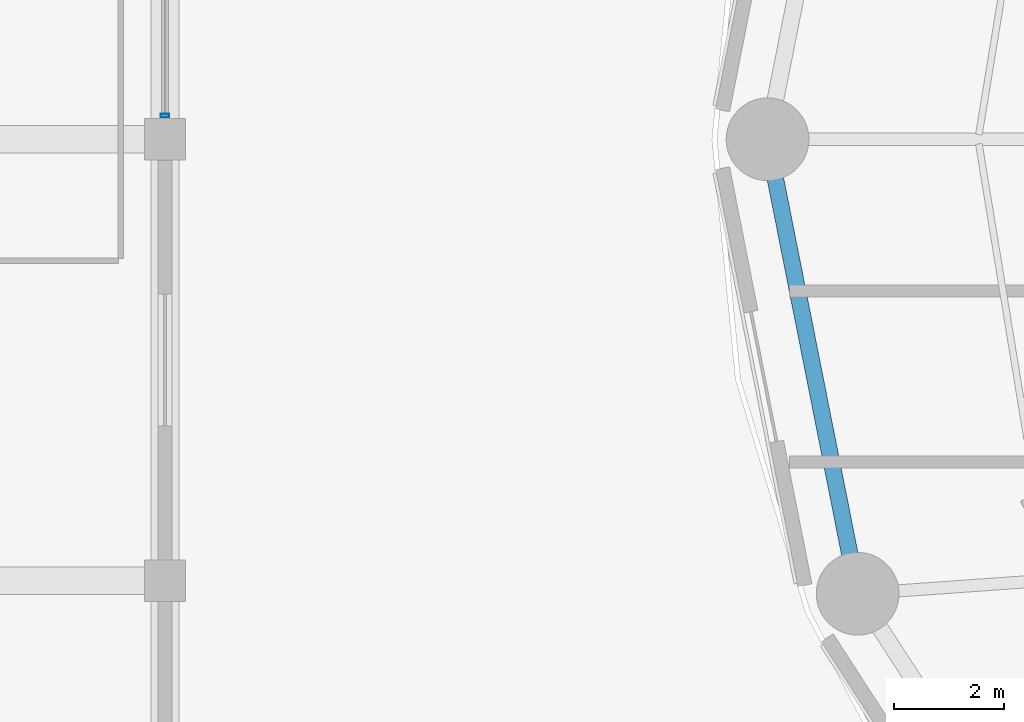
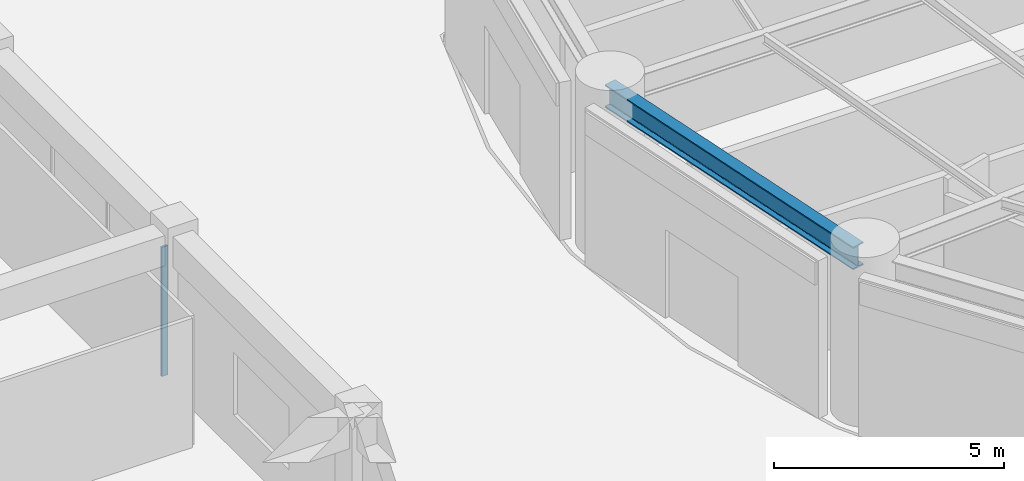
# One storey, part 13 of 40: 1 beam, 1 member, 1 element without a shape of its own.
"""IFC4 building model written with IfcOpenShell, lengths in metres."""

from ifc_helpers import new_model, si_unit, direction, frame, origin, origin_2d, place, context, subcontext, project, spatial, hollow_rectangle, i_section, extrude, material, layer, layer_set, material_profile, profile_set, type_object, element, aggregate, save


model = new_model("IFC4")

# Units and contexts
model_context = context("Model", 3, precision=1e-05, world=origin(), true_north=direction((0.0, 1.0)))
body_context = subcontext(model_context, "Body", "Model", "MODEL_VIEW")
ifc_project = project(units=[si_unit("LENGTHUNIT", "METRE"), si_unit("AREAUNIT", "SQUARE_METRE"), si_unit("VOLUMEUNIT", "CUBIC_METRE"), si_unit("PLANEANGLEUNIT", "RADIAN"), si_unit("MASSUNIT", "GRAM", prefix="KILO")], contexts=[model_context])

# Site, building, storey
site_placement = place(None, origin())
site = spatial("IfcSite", under=ifc_project, at=site_placement, CompositionType="ELEMENT")
building_placement = place(site_placement, origin())
building = spatial("IfcBuilding", under=site, at=building_placement, Name="Kelanora Arch Commons", CompositionType="ELEMENT")
storey_placement = place(building_placement, origin())
storey = spatial("IfcBuildingStorey", under=building, at=storey_placement, Name="L00", CompositionType="ELEMENT", Elevation=0.0)

# Beam
ifc_material_1 = material(Name="Steel S355", Category="steel")
ifc_material_profile_1 = material_profile(ifc_material_1, i_section(OverallWidth=0.300048828125, OverallDepth=0.60009765625, WebThickness=0.015380859375, FlangeThickness=0.030029296875, FilletRadius=0.027099609375, at=origin_2d()), Name="HEB600")
ifc_profile_set_1 = profile_set([ifc_material_profile_1], Name="Steel S355")
beam_type = type_object("IfcBeamType", Name="BM-SPN-Z1", PredefinedType="SPANDREL", material=ifc_profile_set_1)
beam_placement = place(storey_placement, frame((46.919921875, 58.0, 3.89990234375), z_axis=(0.194508025468, -0.980900926714, 0.0), x_axis=(0.980900926714, 0.194508025468, 0.0)))
element("IfcBeam", 1, at=beam_placement, inside=storey, type_object=beam_type, Name="Perimeter Spandrel Beam BS-18 L00", PredefinedType="SPANDREL", context=body_context, shape_type="SweptSolid", body=[
    extrude(i_section(OverallWidth=0.300048828125, OverallDepth=0.60009765625, WebThickness=0.015380859375, FlangeThickness=0.030029296875, FilletRadius=0.027099609375, at=origin_2d()), origin(), (0.0, 0.0, 1.0), 8.17626953125),
])

# Curtain wall, member
ifc_material_2 = material(Name="Terracotta ceramic-fritted low-E glass and aluminium", Category="masonry")
ifc_layer = layer(ifc_material_2, 0.16796875)
ifc_layer_set = layer_set([ifc_layer], Name="Terracotta ceramic-fritted low-E glass and aluminium")
curtain_wall_type = type_object("IfcCurtainWallType", Name="CW-SYS-07", PredefinedType="NOTDEFINED", material=ifc_layer_set)
curtain_wall_placement = place(storey_placement, origin())
curtain_wall = element("IfcCurtainWall", 2, at=curtain_wall_placement, inside=storey, type_object=curtain_wall_type, Name="Market Hall Arcade Curtain Wall L00-27", PredefinedType="NOTDEFINED")
ifc_material_3 = material(Name="Powder-coated aluminium terracotta", Category="masonry")
ifc_material_profile_2 = material_profile(ifc_material_3, hollow_rectangle(XDim=0.159912109375, YDim=0.06005859375, WallThickness=0.0048828125, InnerFilletRadius=0.0048828125, OuterFilletRadius=0.010009765625, at=origin_2d()), Name="CWM160x60")
ifc_profile_set_2 = profile_set([ifc_material_profile_2], Name="Powder-coated aluminium terracotta")
member_type = type_object("IfcMemberType", Name="CWM-STD", PredefinedType="MULLION", material=ifc_profile_set_2)
member_placement = place(storey_placement, frame((36.0, 58.429931640625, 0.0), z_axis=(0.0, 0.0, 1.0), x_axis=(-1.0, 0.0, 0.0)))
member = element("IfcMember", 3, at=member_placement, type_object=member_type, Name="CW-07 mullion 1", PredefinedType="MULLION", context=body_context, shape_type="SweptSolid", body=[
    extrude(hollow_rectangle(XDim=0.159912109375, YDim=0.06005859375, WallThickness=0.0048828125, InnerFilletRadius=0.0048828125, OuterFilletRadius=0.010009765625, at=origin_2d()), origin(), (0.0, 0.0, 1.0), 3.419921875),
])
aggregate(curtain_wall, [member])

save(model, "model.ifc")
